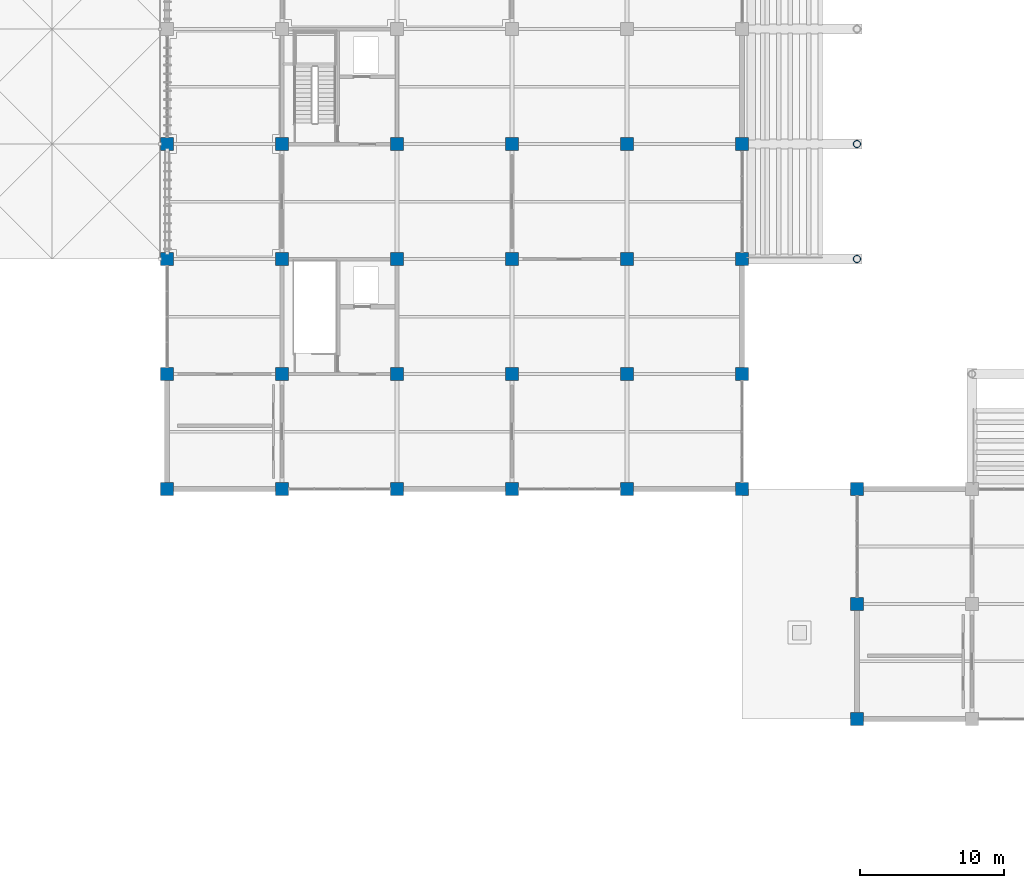
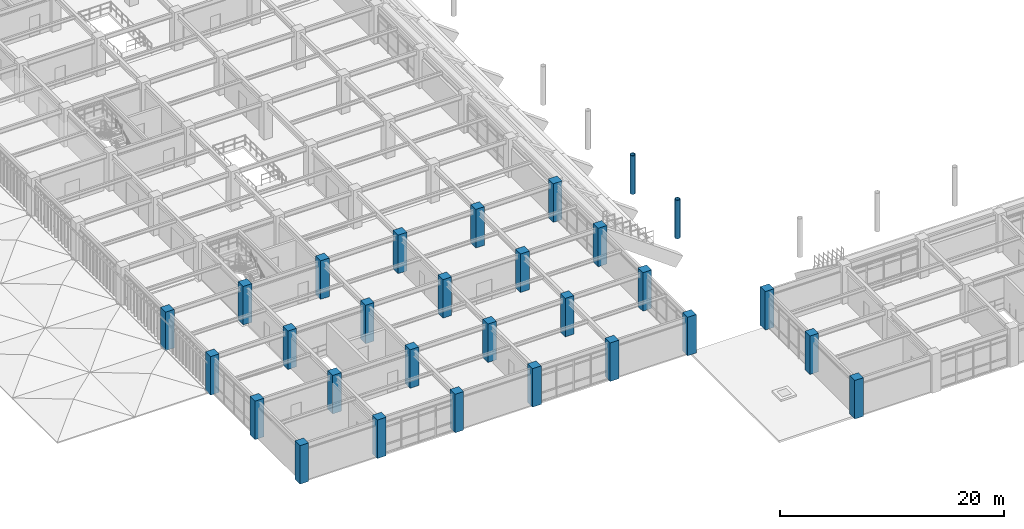
# One storey, part 1 of 118: 29 columns.
"""IFC4 building model written with IfcOpenShell, lengths in metres."""

from ifc_helpers import new_model, si_unit, direction, frame, origin, origin_2d, place, context, subcontext, project, spatial, rectangle, hollow_circle, extrude, material, material_profile, profile_set, type_object, element, save


model = new_model("IFC4")

# Units and contexts
model_context = context("Model", 3, precision=1e-05, world=origin(), true_north=direction((0.0, 1.0)))
body_context = subcontext(model_context, "Body", "Model", "MODEL_VIEW")
ifc_project = project(units=[si_unit("LENGTHUNIT", "METRE"), si_unit("AREAUNIT", "SQUARE_METRE"), si_unit("VOLUMEUNIT", "CUBIC_METRE"), si_unit("PLANEANGLEUNIT", "RADIAN"), si_unit("MASSUNIT", "GRAM", prefix="KILO")], contexts=[model_context])

# Site, building, storey
site_placement = place(None, origin())
site = spatial("IfcSite", under=ifc_project, at=site_placement, CompositionType="ELEMENT")
building_placement = place(site_placement, origin())
building = spatial("IfcBuilding", under=site, at=building_placement, Name="Haebicheon Civic Stadium", CompositionType="ELEMENT")
storey_placement = place(building_placement, frame((0.0, 0.0, 14.39990234375)))
storey = spatial("IfcBuildingStorey", under=building, at=storey_placement, Name="L04", CompositionType="ELEMENT", Elevation=14.39990234375)

# Columns
ifc_material_1 = material(Name="Concrete C40/50", Category="concrete")
ifc_material_profile_1 = material_profile(ifc_material_1, rectangle(XDim=0.89990234375, YDim=0.89990234375, at=origin_2d()), Name="RC-COL-900x900")
ifc_profile_set_1 = profile_set([ifc_material_profile_1], Name="Concrete C40/50")
column_type_1 = type_object("IfcColumnType", Name="COL-RC-900", PredefinedType="COLUMN", material=ifc_profile_set_1)
for number, where, z_axis, x_axis, name in (
    (1, (24.0, 32.0, 0.0), (0.0, 0.0, 1.0), (1.0, 0.0, 0.0), "L04 column 4/E"),
    (2, (24.0, 40.0, 0.0), (0.0, 0.0, 1.0), (1.0, 0.0, 0.0), "L04 column 4/F"),
    (3, (24.0, 48.0, 0.0), (0.0, 0.0, 1.0), (1.0, 0.0, 0.0), "L04 column 4/G"),
    (4, (24.0, 56.0, 0.0), (0.0, 0.0, 1.0), (1.0, 0.0, 0.0), "L04 column 4/H"),
    (5, (32.0, 32.0, 0.0), (0.0, 0.0, 1.0), (1.0, 0.0, 0.0), "L04 column 5/E"),
    (6, (32.0, 40.0, 0.0), (0.0, 0.0, 1.0), (1.0, 0.0, 0.0), "L04 column 5/F"),
    (7, (32.0, 48.0, 0.0), (0.0, 0.0, 1.0), (1.0, 0.0, 0.0), "L04 column 5/G"),
    (8, (32.0, 56.0, 0.0), (0.0, 0.0, 1.0), (1.0, 0.0, 0.0), "L04 column 5/H"),
    (9, (40.0, 32.0, 0.0), (0.0, 0.0, 1.0), (1.0, 0.0, 0.0), "L04 column 6/E"),
    (10, (40.0, 40.0, 0.0), (0.0, 0.0, 1.0), (1.0, 0.0, 0.0), "L04 column 6/F"),
    (11, (40.0, 48.0, 0.0), (0.0, 0.0, 1.0), (1.0, 0.0, 0.0), "L04 column 6/G"),
    (12, (40.0, 56.0, 0.0), (0.0, 0.0, 1.0), (1.0, 0.0, 0.0), "L04 column 6/H"),
    (13, (48.0, 32.0, 0.0), (0.0, 0.0, 1.0), (1.0, 0.0, 0.0), "L04 column 7/E"),
    (14, (48.0, 40.0, 0.0), (0.0, 0.0, 1.0), (1.0, 0.0, 0.0), "L04 column 7/F"),
    (15, (48.0, 48.0, 0.0), (0.0, 0.0, 1.0), (1.0, 0.0, 0.0), "L04 column 7/G"),
    (16, (48.0, 56.0, 0.0), (0.0, 0.0, 1.0), (1.0, 0.0, 0.0), "L04 column 7/H"),
    (17, (56.0, 32.0, 0.0), (0.0, 0.0, 1.0), (1.0, 0.0, 0.0), "L04 column 8/E"),
    (18, (56.0, 40.0, 0.0), (0.0, 0.0, 1.0), (1.0, 0.0, 0.0), "L04 column 8/F"),
    (19, (56.0, 48.0, 0.0), (0.0, 0.0, 1.0), (1.0, 0.0, 0.0), "L04 column 8/G"),
    (20, (56.0, 56.0, 0.0), (0.0, 0.0, 1.0), (1.0, 0.0, 0.0), "L04 column 8/H"),
    (21, (64.0, 32.0, 0.0), (0.0, 0.0, 1.0), (1.0, 0.0, 0.0), "L04 column 9/E"),
    (22, (64.0, 40.0, 0.0), (0.0, 0.0, 1.0), (1.0, 0.0, 0.0), "L04 column 9/F"),
    (23, (64.0, 48.0, 0.0), (0.0, 0.0, 1.0), (1.0, 0.0, 0.0), "L04 column 9/G"),
    (24, (64.0, 56.0, 0.0), (0.0, 0.0, 1.0), (1.0, 0.0, 0.0), "L04 column 9/H"),
    (25, (72.0, 16.0, 0.0), (0.0, 0.0, 1.0), (1.0, 0.0, 0.0), "L04 column 10/C"),
    (26, (72.0, 24.0, 0.0), (0.0, 0.0, 1.0), (1.0, 0.0, 0.0), "L04 column 10/D"),
    (27, (72.0, 32.0, 0.0), (0.0, 0.0, 1.0), (1.0, 0.0, 0.0), "L04 column 10/E"),
):
    element("IfcColumn", number, at=place(storey_placement, frame(where, z_axis=z_axis, x_axis=x_axis)), inside=storey, type_object=column_type_1, material=ifc_profile_set_1, Name=name, PredefinedType="COLUMN", context=body_context, shape_type="SweptSolid", body=[
        extrude(rectangle(XDim=0.89990234375, YDim=0.89990234375, at=origin_2d()), origin(), (0.0, 0.0, 1.0), 4.2001953125),
    ])
ifc_material_2 = material(Name="White painted steel SM490", Category="steel")
ifc_material_profile_2 = material_profile(ifc_material_2, hollow_circle(Radius=0.25390625, WallThickness=0.02490234375, at=origin_2d()), Name="CHS-508.0x25.0")
ifc_profile_set_2 = profile_set([ifc_material_profile_2], Name="White painted steel SM490")
column_type_2 = type_object("IfcColumnType", Name="COL-ST-CHS508", PredefinedType="COLUMN", material=ifc_profile_set_2)
for number, where, z_axis, x_axis, name in (
    (28, (72.0, 48.0, 0.0), (0.0, 0.0, 1.0), (1.0, 0.0, 0.0), "Bowl/canopy support column 72/48 (L04)"),
    (29, (72.0, 56.0, 0.0), (0.0, 0.0, 1.0), (1.0, 0.0, 0.0), "Bowl/canopy support column 72/56 (L04)"),
):
    element("IfcColumn", number, at=place(storey_placement, frame(where, z_axis=z_axis, x_axis=x_axis)), inside=storey, type_object=column_type_2, material=ifc_profile_set_2, Name=name, PredefinedType="COLUMN", context=body_context, shape_type="SweptSolid", body=[
        extrude(hollow_circle(Radius=0.25390625, WallThickness=0.02490234375, at=origin_2d()), origin(), (0.0, 0.0, 1.0), 4.2001953125),
    ])

save(model, "model.ifc")
